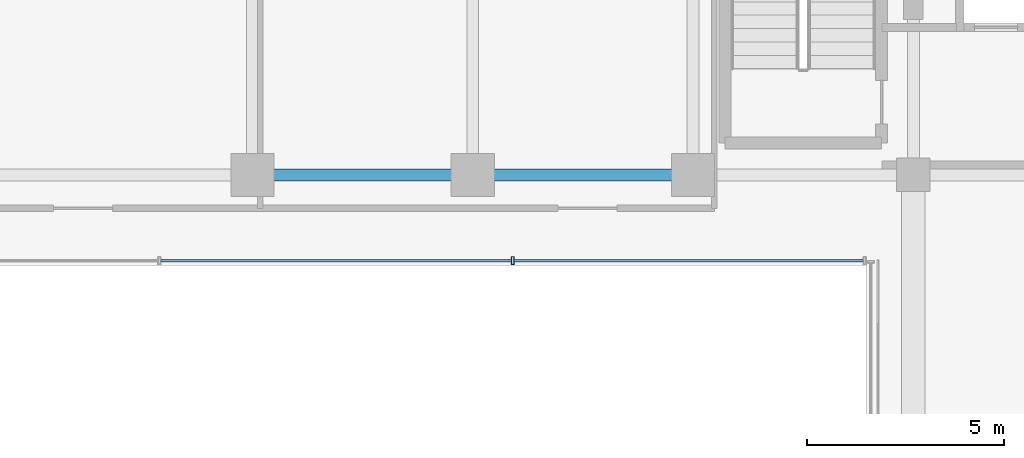
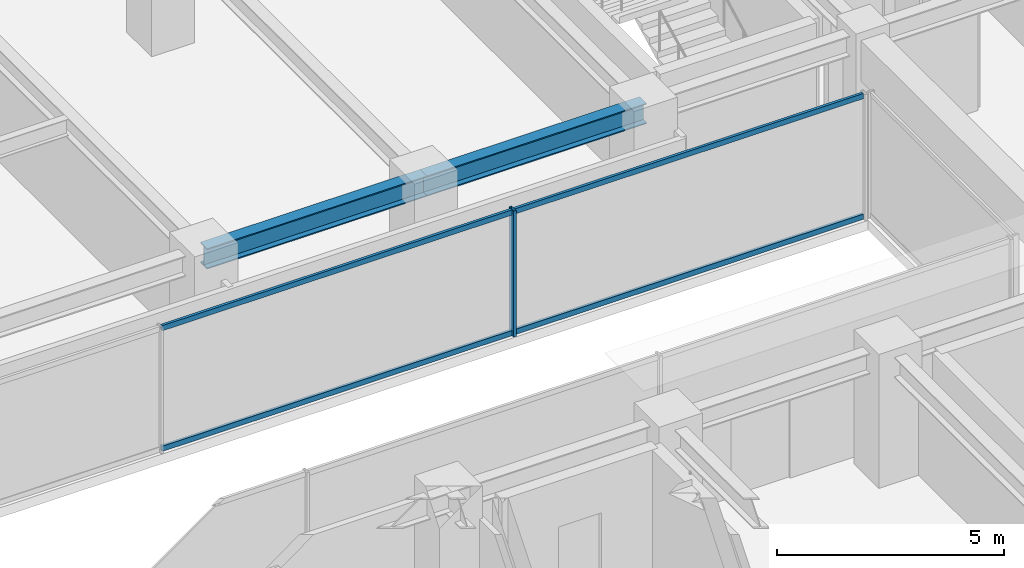
# One storey, part 12 of 43: 5 members, 2 beams, 1 element without a shape of its own.
"""IFC4 building model written with IfcOpenShell, lengths in metres."""

from ifc_helpers import new_model, si_unit, direction, frame, origin, origin_2d, place, context, subcontext, project, spatial, hollow_rectangle, i_section, extrude, source, transform, mapped, material, material_profile, profile_set, type_object, element, aggregate, save


model = new_model("IFC4")

# Units and contexts
model_context = context("Model", 3, precision=1e-05, world=origin(), true_north=direction((0.0, 1.0)))
body_context = subcontext(model_context, "Body", "Model", "MODEL_VIEW")
ifc_project = project(units=[si_unit("LENGTHUNIT", "METRE"), si_unit("AREAUNIT", "SQUARE_METRE"), si_unit("VOLUMEUNIT", "CUBIC_METRE"), si_unit("PLANEANGLEUNIT", "RADIAN"), si_unit("MASSUNIT", "GRAM", prefix="KILO")], contexts=[model_context])

# Site, building, storey
site_placement = place(None, origin())
site = spatial("IfcSite", under=ifc_project, at=site_placement, CompositionType="ELEMENT")
building_placement = place(site_placement, origin())
building = spatial("IfcBuilding", under=site, at=building_placement, Name="Nahalor Promenade Grand Hotel", CompositionType="ELEMENT")
storey_placement = place(building_placement, frame((0.0, 0.0, 181.85009765625)))
storey = spatial("IfcBuildingStorey", under=building, at=storey_placement, Name="L46", CompositionType="ELEMENT", Elevation=181.85009765625)

# Beams
ifc_material_1 = material(Name="Steel S355JR", Category="steel")
ifc_material_profile_1 = material_profile(ifc_material_1, i_section(OverallWidth=0.3, OverallDepth=0.55, WebThickness=0.015, FlangeThickness=0.029, at=origin_2d()), Name="HEB 550")
ifc_profile_set_1 = profile_set([ifc_material_profile_1], Name="Steel S355JR")
beam_type = type_object("IfcBeamType", Name="Beam-Girder-HEB550", PredefinedType="BEAM", material=ifc_profile_set_1)
shared_shape_1 = source(origin(), body_context, "Body", "SweptSolid", [
    extrude(i_section(OverallWidth=0.3, OverallDepth=0.55, WebThickness=0.015, FlangeThickness=0.029, at=origin_2d()), origin(), (0.0, 0.0, 1.0), 5.599853515625),
])
beam_1_placement = place(storey_placement, frame((-8.39990234375, 5.39990234375, 3.114990234375), z_axis=(1.0, 0.0, 0.0), x_axis=(0.0, 1.0, 0.0)))
element("IfcBeam", 1, at=beam_1_placement, inside=storey, type_object=beam_type, Name="BM-L46-GX-2-2", PredefinedType="BEAM", context=body_context, shape_type="MappedRepresentation", body=[
    mapped(shared_shape_1, transform((0.0, 0.0, 0.0), scale=1.0)),
])
shared_shape_2 = source(origin(), body_context, "Body", "SweptSolid", [
    extrude(i_section(OverallWidth=0.3, OverallDepth=0.55, WebThickness=0.015, FlangeThickness=0.029, at=origin_2d()), origin(), (0.0, 0.0, 1.0), 5.60009765625),
])
beam_2_placement = place(storey_placement, frame((-2.800048828125, 5.39990234375, 3.114990234375), z_axis=(1.0, 0.0, 0.0), x_axis=(0.0, 1.0, 0.0)))
element("IfcBeam", 2, at=beam_2_placement, inside=storey, type_object=beam_type, Name="BM-L46-GX-2-3", PredefinedType="BEAM", context=body_context, shape_type="MappedRepresentation", body=[
    mapped(shared_shape_2, transform((0.0, 0.0, 0.0), scale=1.0)),
])

# Curtain wall, members
ifc_material_2 = material(Name="Anodised Bronze Aluminium EN AW-6063 T6", Category="aluminium")
curtain_wall_type = type_object("IfcCurtainWallType", Name="CW3 Elliptical-Void Collar Unitised Curtain Wall", PredefinedType="USERDEFINED", material=ifc_material_2)
curtain_wall_placement = place(storey_placement, origin())
curtain_wall = element("IfcCurtainWall", 3, at=curtain_wall_placement, inside=storey, type_object=curtain_wall_type, Name="L46 Curtain Wall CW-L46-VOID-WN1", ObjectType="UNITISED_CURTAIN_WALL", PredefinedType="USERDEFINED")
ifc_material_profile_2 = material_profile(ifc_material_2, hollow_rectangle(XDim=0.07, YDim=0.14, WallThickness=0.004, at=origin_2d()), Name="CWT 70x140x4")
ifc_profile_set_2 = profile_set([ifc_material_profile_2], Name="Anodised Bronze Aluminium EN AW-6063 T6")
member_type_1 = type_object("IfcMemberType", Name="CWT3 Void Collar Transom 70x140", PredefinedType="USERDEFINED", material=ifc_profile_set_2)
shared_shape_3 = source(origin(), body_context, "Body", "SweptSolid", [
    extrude(hollow_rectangle(XDim=0.07, YDim=0.14, WallThickness=0.004, at=origin_2d()), origin(), (0.0, 0.0, 1.0), 8.881591796875),
])
member_1_placement = place(storey_placement, frame((-1.751708984375, 3.219970703125, 0.06982421875), z_axis=(1.0, 0.0, 0.0), x_axis=(0.0, 1.0, 0.0)))
member_1 = element("IfcMember", 4, at=member_1_placement, type_object=member_type_1, Name="CW-L46-VOID-WN1 Transom 2-0", ObjectType="TRANSOM", PredefinedType="USERDEFINED", context=body_context, shape_type="MappedRepresentation", body=[
    mapped(shared_shape_3, transform((0.0, 0.0, 0.0), scale=1.0)),
])
member_2_placement = place(storey_placement, frame((-1.751708984375, 3.219970703125, 3.31982421875), z_axis=(1.0, 0.0, 0.0), x_axis=(0.0, 1.0, 0.0)))
member_2 = element("IfcMember", 5, at=member_2_placement, type_object=member_type_1, Name="CW-L46-VOID-WN1 Transom 2-1", ObjectType="TRANSOM", PredefinedType="USERDEFINED", context=body_context, shape_type="MappedRepresentation", body=[
    mapped(shared_shape_3, transform((0.0, 0.0, 0.0), scale=1.0)),
])
shared_shape_4 = source(origin(), body_context, "Body", "SweptSolid", [
    extrude(hollow_rectangle(XDim=0.07, YDim=0.14, WallThickness=0.004, at=origin_2d()), origin(), (0.0, 0.0, 1.0), 8.91650390625),
])
member_3_placement = place(storey_placement, frame((-10.73828125, 3.219970703125, 0.06982421875), z_axis=(1.0, 0.0, 0.0), x_axis=(0.0, 1.0, 0.0)))
member_3 = element("IfcMember", 6, at=member_3_placement, type_object=member_type_1, Name="CW-L46-VOID-WN1 Transom 1-0", ObjectType="TRANSOM", PredefinedType="USERDEFINED", context=body_context, shape_type="MappedRepresentation", body=[
    mapped(shared_shape_4, transform((0.0, 0.0, 0.0), scale=1.0)),
])
member_4_placement = place(storey_placement, frame((-10.73828125, 3.219970703125, 3.31982421875), z_axis=(1.0, 0.0, 0.0), x_axis=(0.0, 1.0, 0.0)))
member_4 = element("IfcMember", 7, at=member_4_placement, type_object=member_type_1, Name="CW-L46-VOID-WN1 Transom 1-1", ObjectType="TRANSOM", PredefinedType="USERDEFINED", context=body_context, shape_type="MappedRepresentation", body=[
    mapped(shared_shape_4, transform((0.0, 0.0, 0.0), scale=1.0)),
])
ifc_material_profile_3 = material_profile(ifc_material_2, hollow_rectangle(XDim=0.07, YDim=0.2, WallThickness=0.005, at=origin_2d()), Name="CWM 70x200x5")
ifc_profile_set_3 = profile_set([ifc_material_profile_3], Name="Anodised Bronze Aluminium EN AW-6063 T6")
member_type_2 = type_object("IfcMemberType", Name="CWM3 Void Collar Mullion 70x200", PredefinedType="MULLION", material=ifc_profile_set_3)
shared_shape_5 = source(origin(), body_context, "Body", "SweptSolid", [
    extrude(hollow_rectangle(XDim=0.07, YDim=0.2, WallThickness=0.005, at=origin_2d()), origin(), (0.0, 0.0, 1.0), 3.389892578125),
])
member_5_placement = place(storey_placement, frame((-1.78662109375, 3.219970703125, 0.0), z_axis=(0.0, 0.0, 1.0), x_axis=(1.0, 0.0, 0.0)))
member_5 = element("IfcMember", 8, at=member_5_placement, type_object=member_type_2, Name="CW-L46-VOID-WN1 Mullion 2", PredefinedType="MULLION", context=body_context, shape_type="MappedRepresentation", body=[
    mapped(shared_shape_5, transform((0.0, 0.0, 0.0), scale=1.0)),
])
aggregate(curtain_wall, [member_5, member_3, member_4, member_1, member_2])

save(model, "model.ifc")
